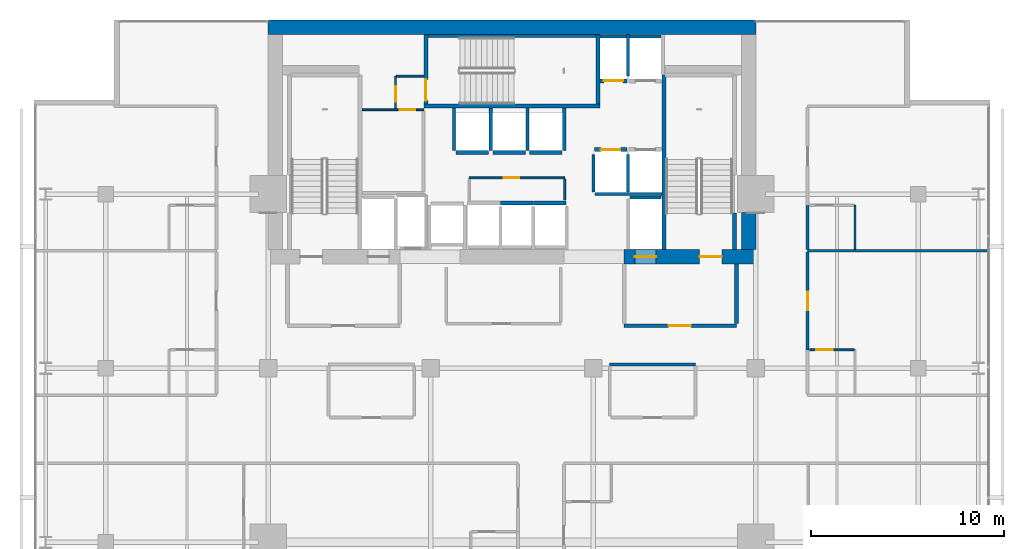
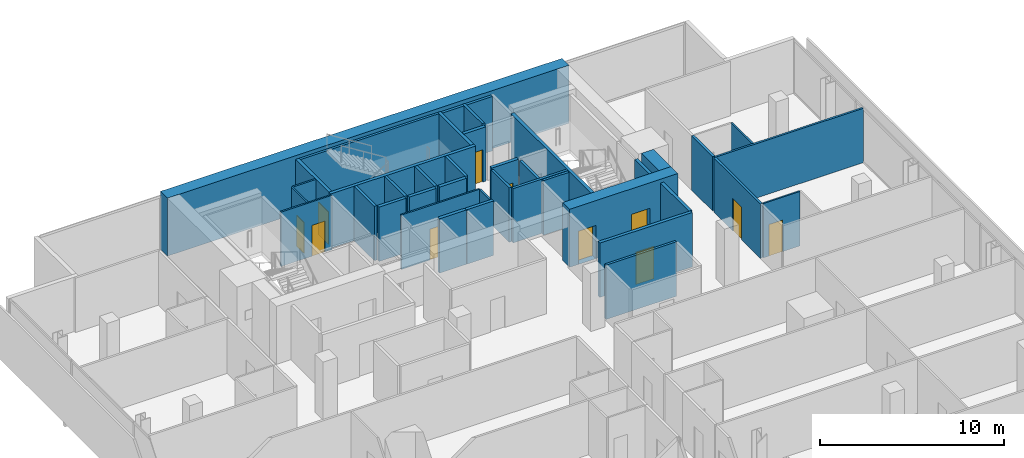
# One storey, part 30 of 33: 39 walls, 11 doors, 11 openings.
"""IFC4 building model written with IfcOpenShell, lengths in metres."""

from ifc_helpers import new_model, si_unit, direction, frame, frame_2d, origin, place, context, subcontext, project, spatial, rectangle, extrude, material, layer, layer_set, type_object, element, fill, save


model = new_model("IFC4")

# Units and contexts
model_context = context("Model", 3, precision=1e-05, world=origin(), true_north=direction((0.0, 1.0)))
body_context = subcontext(model_context, "Body", "Model", "MODEL_VIEW")
ifc_project = project(units=[si_unit("LENGTHUNIT", "METRE"), si_unit("AREAUNIT", "SQUARE_METRE"), si_unit("VOLUMEUNIT", "CUBIC_METRE"), si_unit("PLANEANGLEUNIT", "RADIAN"), si_unit("MASSUNIT", "GRAM", prefix="KILO")], contexts=[model_context])

# Site, building, storey
site_placement = place(None, origin())
site = spatial("IfcSite", under=ifc_project, at=site_placement, CompositionType="ELEMENT")
building_placement = place(site_placement, origin())
building = spatial("IfcBuilding", under=site, at=building_placement, Name="Maruvema Waterfront Hotel and Observation Tower", CompositionType="ELEMENT")
storey_placement = place(building_placement, frame((0.0, 0.0, 150.5)))
storey = spatial("IfcBuildingStorey", under=building, at=storey_placement, Name="L36", CompositionType="ELEMENT", Elevation=150.5)

# Wall
ifc_material_1 = material(Name="Twin-stud acoustic gypsum drywall", Category="gypsum")
ifc_layer_1 = layer(ifc_material_1, 0.14990234375, Name="Acoustic Corridor and Suite Demising Wall 150 mm")
ifc_layer_set_1 = layer_set([ifc_layer_1], Name="Twin-stud acoustic gypsum drywall")
wall_type_1 = type_object("IfcWallType", Name="Acoustic Corridor and Suite Demising Wall 150 mm", PredefinedType="PARTITIONING", material=ifc_layer_set_1)
wall_1_placement = place(storey_placement, frame((42.85009765625, 36.199951171875, 0.0), z_axis=(0.0, 0.0, 1.0), x_axis=(1.0, 0.0, 0.0)))
element("IfcWall", 1, at=wall_1_placement, inside=storey, type_object=wall_type_1, Name="L36 L36-M2 Back Wall 025", PredefinedType="PARTITIONING", context=body_context, shape_type="SweptSolid", body=[
    extrude(rectangle(XDim=4.429931640625, YDim=0.14990234375, at=frame_2d((2.21484375, 0.0))), origin(), (0.0, 0.0, 1.0), 3.610107421875),
])

# Wall, opening, door
wall_2_placement = place(storey_placement, frame((53.080078125, 36.949951171875, 0.0), z_axis=(0.0, 0.0, 1.0), x_axis=(0.0, 1.0, 0.0)))
wall_2 = element("IfcWall", 2, at=wall_2_placement, inside=storey, type_object=wall_type_1, Name="L36 Room L36-NE1 Corridor Wall 107", PredefinedType="PARTITIONING", context=body_context, shape_type="SweptSolid", body=[
    extrude(rectangle(XDim=5.058837890625, YDim=0.14990234375, at=frame_2d((2.529296875, 0.0))), origin(), (0.0, 0.0, 1.0), 3.610107421875),
])
opening_1_placement = place(wall_2_placement, frame((2.054443359375, 0.0, 0.0)))
opening_1 = element("IfcOpeningElement", 3, at=opening_1_placement, cuts=wall_2, Name="Opening DR-095", PredefinedType="OPENING", context=body_context, shape_type="SweptSolid", body=[
    extrude(rectangle(XDim=0.949951171875, YDim=2.14990234375, at=frame_2d((0.47509765625, 1.074951171875))), frame((0.0, 0.0849609375, 0.0), z_axis=(0.0, -1.0, 0.0), x_axis=(1.0, 0.0, 0.0)), (0.0, 0.0, 1.0), 0.169921875),
])
ifc_material_2 = material(Name="Acoustic solid-core hardwood timber leaf", Category="wood")
door_type_1 = type_object("IfcDoorType", Name="Guestroom Entrance Fire Door 950x2150 mm", OperationType="NOTDEFINED", PredefinedType="DOOR", material=ifc_material_2)
door_1_placement = place(opening_1_placement, frame((0.949951171875, 0.0, 0.0), z_axis=(0.0, 0.0, 1.0), x_axis=(-1.0, 0.0, 0.0)))
door_1 = element("IfcDoor", 4, at=door_1_placement, inside=storey, type_object=door_type_1, Name="L36 Room L36-NE1 Entrance Door", OperationType="SINGLE_SWING_RIGHT", OverallHeight=2.14990234375, OverallWidth=0.949951171875, PredefinedType="DOOR", context=body_context, shape_type="SweptSolid", body=[
    extrude(rectangle(XDim=0.949951171875, YDim=2.14990234375, at=frame_2d((0.47509765625, 1.074951171875))), frame((0.0, 0.02490234375, 0.0), z_axis=(0.0, -1.0, 0.0), x_axis=(1.0, 0.0, 0.0)), (0.0, 0.0, 1.0), 0.050048828125),
])
fill(opening_1, door_1)

# Walls
wall_3_placement = place(storey_placement, frame((53.080078125, 42.12890625, 0.0), z_axis=(0.0, 0.0, 1.0), x_axis=(0.0, 1.0, 0.0)))
element("IfcWall", 5, at=wall_3_placement, inside=storey, type_object=wall_type_1, Name="L36 Bath L36-NE2 Wall 116", PredefinedType="PARTITIONING", context=body_context, shape_type="SweptSolid", body=[
    extrude(rectangle(XDim=2.289794921875, YDim=0.14990234375, at=frame_2d((1.14501953125, 0.0))), origin(), (0.0, 0.0, 1.0), 3.610107421875),
])
ifc_material_3 = material(Name="Precast concrete C45/55", Category="concrete")
ifc_layer_2 = layer(ifc_material_3, 0.14990234375, Name="Core Shaft Furring Wall 150 mm")
ifc_layer_set_2 = layer_set([ifc_layer_2], Name="Precast concrete C45/55")
wall_type_2 = type_object("IfcWallType", Name="Core Shaft Furring Wall 150 mm", PredefinedType="SOLIDWALL", material=ifc_layer_set_2)
wall_4_placement = place(storey_placement, frame((33.449951171875, 53.175048828125, 0.0), z_axis=(0.0, 0.0, 1.0), x_axis=(1.0, 0.0, 0.0)))
element("IfcWall", 6, at=wall_4_placement, inside=storey, type_object=wall_type_2, Name="L36 Stairwell ST-02 North Furring Wall", PredefinedType="SOLIDWALL", context=body_context, shape_type="SweptSolid", body=[
    extrude(rectangle(XDim=8.699951171875, YDim=0.14990234375, at=frame_2d((4.35009765625, 0.0))), origin(), (0.0, 0.0, 1.0), 3.610107421875),
])
ifc_material_4 = material(Name="Precast concrete C45/55", Category="concrete")
ifc_layer_3 = layer(ifc_material_4, 0.199951171875, Name="Core Shaft and Stairwell Enclosure Wall 200 mm")
ifc_layer_set_3 = layer_set([ifc_layer_3], Name="Precast concrete C45/55")
wall_type_3 = type_object("IfcWallType", Name="Core Shaft and Stairwell Enclosure Wall 200 mm", PredefinedType="SOLIDWALL", material=ifc_layer_set_3)
wall_5_placement = place(storey_placement, frame((33.25, 49.550048828125, 0.0), z_axis=(0.0, 0.0, 1.0), x_axis=(1.0, 0.0, 0.0)))
element("IfcWall", 7, at=wall_5_placement, inside=storey, type_object=wall_type_3, Name="L36 Stairwell ST-02 Shaft Wall", PredefinedType="SOLIDWALL", context=body_context, shape_type="SweptSolid", body=[
    extrude(rectangle(XDim=9.10009765625, YDim=0.199951171875, at=frame_2d((4.550048828125, 0.0))), origin(), (0.0, 0.0, 1.0), 3.610107421875),
])
wall_6_placement = place(storey_placement, frame((42.25, 49.64990234375, 0.0), z_axis=(0.0, 0.0, 1.0), x_axis=(0.0, 1.0, 0.0)))
element("IfcWall", 8, at=wall_6_placement, inside=storey, type_object=wall_type_3, Name="L36 Stairwell ST-02 Shaft Wall", PredefinedType="SOLIDWALL", context=body_context, shape_type="SweptSolid", body=[
    extrude(rectangle(XDim=3.60009765625, YDim=0.199951171875, at=frame_2d((1.800048828125, 0.0))), origin(), (0.0, 0.0, 1.0), 3.610107421875),
])

# Wall, opening, door
wall_7_placement = place(storey_placement, frame((33.35009765625, 49.64990234375, 0.0), z_axis=(0.0, 0.0, 1.0), x_axis=(0.0, 1.0, 0.0)))
wall_7 = element("IfcWall", 9, at=wall_7_placement, inside=storey, type_object=wall_type_3, Name="L36 Stairwell ST-02 Shaft Wall", PredefinedType="SOLIDWALL", context=body_context, shape_type="SweptSolid", body=[
    extrude(rectangle(XDim=3.60009765625, YDim=0.199951171875, at=frame_2d((1.800048828125, 0.0))), origin(), (0.0, 0.0, 1.0), 3.610107421875),
])
opening_2_placement = place(wall_7_placement, frame((0.179931640625, 0.0, 0.0)))
opening_2 = element("IfcOpeningElement", 10, at=opening_2_placement, cuts=wall_7, Name="Opening SD-02", PredefinedType="OPENING", context=body_context, shape_type="SweptSolid", body=[
    extrude(rectangle(XDim=1.10009765625, YDim=2.14990234375, at=frame_2d((0.550048828125, 1.074951171875))), frame((0.0, 0.10986328125, 0.0), z_axis=(0.0, -1.0, 0.0), x_axis=(1.0, 0.0, 0.0)), (0.0, 0.0, 1.0), 0.219970703125),
])
ifc_material_5 = material(Name="Fire-rated galvanised steel leaf", Category="steel")
door_type_2 = type_object("IfcDoorType", Name="Central Exit Stair Fire Door 1100x2150 mm", OperationType="NOTDEFINED", PredefinedType="DOOR", material=ifc_material_5)
door_2_placement = place(opening_2_placement, frame((1.10009765625, 0.0, 0.0), z_axis=(0.0, 0.0, 1.0), x_axis=(-1.0, 0.0, 0.0)))
door_2 = element("IfcDoor", 11, at=door_2_placement, inside=storey, type_object=door_type_2, Name="L36 Exit Stair ST-02 Fire Door", OperationType="SINGLE_SWING_LEFT", OverallHeight=2.14990234375, OverallWidth=1.10009765625, PredefinedType="DOOR", context=body_context, shape_type="SweptSolid", body=[
    extrude(rectangle(XDim=1.10009765625, YDim=2.14990234375, at=frame_2d((0.550048828125, 1.074951171875))), frame((0.0, 0.02490234375, 0.0), z_axis=(0.0, -1.0, 0.0), x_axis=(1.0, 0.0, 0.0)), (0.0, 0.0, 1.0), 0.050048828125),
])
fill(opening_2, door_2)

# Walls
wall_8_placement = place(storey_placement, frame((45.64990234375, 42.14990234375, 0.0), z_axis=(0.0, 0.0, 1.0), x_axis=(0.0, 1.0, 0.0)))
element("IfcWall", 12, at=wall_8_placement, inside=storey, type_object=wall_type_3, Name="L36 Stairwell ST-03 West Shaft Wall", PredefinedType="SOLIDWALL", context=body_context, shape_type="SweptSolid", body=[
    extrude(rectangle(XDim=9.0, YDim=0.199951171875, at=frame_2d((4.5, 0.0))), origin(), (0.0, 0.0, 1.0), 3.610107421875),
])
wall_9_placement = place(storey_placement, frame((49.300048828125, 42.14990234375, 0.0), z_axis=(0.0, 0.0, 1.0), x_axis=(0.0, 1.0, 0.0)))
element("IfcWall", 13, at=wall_9_placement, inside=storey, type_object=wall_type_3, Name="L36 Stairwell ST-03 Shaft Lining Wall", PredefinedType="SOLIDWALL", context=body_context, shape_type="SweptSolid", body=[
    extrude(rectangle(XDim=1.8701171875, YDim=0.199951171875, at=frame_2d((0.93505859375, 0.0))), origin(), (0.0, 0.0, 1.0), 3.610107421875),
])

# Wall, opening, door
wall_10_placement = place(storey_placement, frame((42.06005859375, 47.300048828125, 0.0), z_axis=(0.0, 0.0, 1.0), x_axis=(1.0, 0.0, 0.0)))
wall_10 = element("IfcWall", 14, at=wall_10_placement, inside=storey, type_object=wall_type_3, Name="L36 Lift LF-05 Hoistway Front Wall", PredefinedType="SOLIDWALL", context=body_context, shape_type="SweptSolid", body=[
    extrude(rectangle(XDim=1.679931640625, YDim=0.199951171875, at=frame_2d((0.83984375, 0.0))), origin(), (0.0, 0.0, 1.0), 3.610107421875),
])
opening_3_placement = place(wall_10_placement, frame((0.340087890625, 0.0, 0.0)))
opening_3 = element("IfcOpeningElement", 15, at=opening_3_placement, cuts=wall_10, Name="Opening LD-01", PredefinedType="OPENING", context=body_context, shape_type="SweptSolid", body=[
    extrude(rectangle(XDim=1.0, YDim=2.14990234375, at=frame_2d((0.5, 1.074951171875))), frame((0.0, 0.10986328125, 0.0), z_axis=(0.0, -1.0, 0.0), x_axis=(1.0, 0.0, 0.0)), (0.0, 0.0, 1.0), 0.219970703125),
])
ifc_material_6 = material(Name="Brushed stainless steel Grade 316", Category="steel")
door_type_3 = type_object("IfcDoorType", Name="Passenger Lift Sliding Landing Door 1000x2150 mm", OperationType="SLIDING_TO_LEFT", PredefinedType="DOOR", material=ifc_material_6)
door_3_placement = place(opening_3_placement, origin())
door_3 = element("IfcDoor", 16, at=door_3_placement, inside=storey, type_object=door_type_3, Name="L36 Lift LF-05 Sliding Landing Door", OperationType="SLIDING_TO_LEFT", OverallHeight=2.14990234375, OverallWidth=1.0, PredefinedType="DOOR", context=body_context, shape_type="SweptSolid", body=[
    extrude(rectangle(XDim=1.0, YDim=2.14990234375, at=frame_2d((0.5, 1.074951171875))), frame((0.0, 0.02490234375, 0.0), z_axis=(0.0, -1.0, 0.0), x_axis=(1.0, 0.0, 0.0)), (0.0, 0.0, 1.0), 0.050048828125),
])
fill(opening_3, door_3)

wall_11_placement = place(storey_placement, frame((42.360107421875, 50.85009765625, 0.0), z_axis=(0.0, 0.0, 1.0), x_axis=(1.0, 0.0, 0.0)))
wall_11 = element("IfcWall", 17, at=wall_11_placement, inside=storey, type_object=wall_type_3, Name="L36 Lift LF-07 Hoistway Front Wall", PredefinedType="SOLIDWALL", context=body_context, shape_type="SweptSolid", body=[
    extrude(rectangle(XDim=1.3798828125, YDim=0.199951171875, at=frame_2d((0.68994140625, 0.0))), origin(), (0.0, 0.0, 1.0), 3.610107421875),
])
opening_4_placement = place(wall_11_placement, frame((0.18994140625, 0.0, 0.0)))
opening_4 = element("IfcOpeningElement", 18, at=opening_4_placement, cuts=wall_11, Name="Opening LD-01", PredefinedType="OPENING", context=body_context, shape_type="SweptSolid", body=[
    extrude(rectangle(XDim=1.0, YDim=2.14990234375, at=frame_2d((0.5, 1.074951171875))), frame((0.0, 0.10986328125, 0.0), z_axis=(0.0, -1.0, 0.0), x_axis=(1.0, 0.0, 0.0)), (0.0, 0.0, 1.0), 0.219970703125),
])
door_4_placement = place(opening_4_placement, frame((1.0, 0.0, 0.0), z_axis=(0.0, 0.0, 1.0), x_axis=(-1.0, 0.0, 0.0)))
door_4 = element("IfcDoor", 19, at=door_4_placement, inside=storey, type_object=door_type_3, Name="L36 Lift LF-07 Sliding Landing Door", OperationType="SLIDING_TO_LEFT", OverallHeight=2.14990234375, OverallWidth=1.0, PredefinedType="DOOR", context=body_context, shape_type="SweptSolid", body=[
    extrude(rectangle(XDim=1.0, YDim=2.14990234375, at=frame_2d((0.5, 1.074951171875))), frame((0.0, 0.02490234375, 0.0), z_axis=(0.0, -1.0, 0.0), x_axis=(1.0, 0.0, 0.0)), (0.0, 0.0, 1.0), 0.050048828125),
])
fill(opening_4, door_4)

# Walls
wall_12_placement = place(storey_placement, frame((37.2099609375, 44.550048828125, 0.0), z_axis=(0.0, 0.0, 1.0), x_axis=(1.0, 0.0, 0.0)))
element("IfcWall", 20, at=wall_12_placement, inside=storey, type_object=wall_type_3, Name="L36 Lift LF-10 Hoistway Front Wall", PredefinedType="SOLIDWALL", context=body_context, shape_type="SweptSolid", body=[
    extrude(rectangle(XDim=1.679931640625, YDim=0.199951171875, at=frame_2d((0.83984375, 0.0))), origin(), (0.0, 0.0, 1.0), 3.610107421875),
])
for number, where, z_axis, x_axis, name in (
    (21, (38.909912109375, 44.550048828125, 0.0), (0.0, 0.0, 1.0), (1.0, 0.0, 0.0), "L36 Lift LF-11 Hoistway Front Wall"),
    (22, (34.909912109375, 47.14990234375, 0.0), (0.0, 0.0, 1.0), (1.0, 0.0, 0.0), "L36 Lift LF-12 Hoistway Front Wall"),
):
    element("IfcWall", number, at=place(storey_placement, frame(where, z_axis=z_axis, x_axis=x_axis)), inside=storey, type_object=wall_type_3, Name=name, PredefinedType="SOLIDWALL", context=body_context, shape_type="SweptSolid", body=[
        extrude(rectangle(XDim=1.68017578125, YDim=0.199951171875, at=frame_2d((0.840087890625, 0.0))), origin(), (0.0, 0.0, 1.0), 3.610107421875),
    ])
for number, where, z_axis, x_axis, name in (
    (23, (36.81005859375, 47.14990234375, 0.0), (0.0, 0.0, 1.0), (1.0, 0.0, 0.0), "L36 Lift LF-13 Hoistway Front Wall"),
    (24, (38.7099609375, 47.14990234375, 0.0), (0.0, 0.0, 1.0), (1.0, 0.0, 0.0), "L36 Lift LF-14 Hoistway Front Wall"),
):
    element("IfcWall", number, at=place(storey_placement, frame(where, z_axis=z_axis, x_axis=x_axis)), inside=storey, type_object=wall_type_3, Name=name, PredefinedType="SOLIDWALL", context=body_context, shape_type="SweptSolid", body=[
        extrude(rectangle(XDim=1.679931640625, YDim=0.199951171875, at=frame_2d((0.83984375, 0.0))), origin(), (0.0, 0.0, 1.0), 3.610107421875),
    ])
ifc_material_7 = material(Name="Concrete C70/85", Category="concrete")
ifc_layer_4 = layer(ifc_material_7, 0.75, Name="Core Shear Wall 750 mm")
ifc_layer_set_4 = layer_set([ifc_layer_4], Name="Concrete C70/85")
wall_type_4 = type_object("IfcWallType", Name="Core Shear Wall 750 mm", PredefinedType="SHEAR", material=ifc_layer_set_4)
wall_13_placement = place(storey_placement, frame((25.199951171875, 53.625, 0.0), z_axis=(0.0, 0.0, 1.0), x_axis=(1.0, 0.0, 0.0)))
element("IfcWall", 25, at=wall_13_placement, inside=storey, type_object=wall_type_4, Name="L36 North Core Shear Wall", PredefinedType="SHEAR", context=body_context, shape_type="SweptSolid", body=[
    extrude(rectangle(XDim=25.199951171875, YDim=0.75, at=frame_2d((12.60009765625, 0.0))), origin(), (0.0, 0.0, 1.0), 3.85009765625),
])

# Wall, openings, doors
wall_14_placement = place(storey_placement, frame((43.60009765625, 41.77490234375, 0.0), z_axis=(0.0, 0.0, 1.0), x_axis=(1.0, 0.0, 0.0)))
wall_14 = element("IfcWall", 26, at=wall_14_placement, inside=storey, type_object=wall_type_4, Name="L36 South-East Core Shear Wall", PredefinedType="SHEAR", context=body_context, shape_type="SweptSolid", body=[
    extrude(rectangle(XDim=6.7998046875, YDim=0.75, at=frame_2d((3.39990234375, 0.0))), origin(), (0.0, 0.0, 1.0), 3.85009765625),
])
opening_5_placement = place(wall_14_placement, frame((3.89990234375, 0.0, 0.0)))
opening_5 = element("IfcOpeningElement", 27, at=opening_5_placement, cuts=wall_14, Name="Opening SD-01", PredefinedType="OPENING", context=body_context, shape_type="SweptSolid", body=[
    extrude(rectangle(XDim=1.14990234375, YDim=2.14990234375, at=frame_2d((0.574951171875, 1.074951171875))), frame((0.0, 0.385009765625, 0.0), z_axis=(0.0, -1.0, 0.0), x_axis=(1.0, 0.0, 0.0)), (0.0, 0.0, 1.0), 0.77001953125),
])
opening_6_placement = place(wall_14_placement, frame((0.550048828125, 0.0, 0.0)))
opening_6 = element("IfcOpeningElement", 28, at=opening_6_placement, cuts=wall_14, Name="Opening LD-03", PredefinedType="OPENING", context=body_context, shape_type="SweptSolid", body=[
    extrude(rectangle(XDim=1.10009765625, YDim=2.199951171875, at=frame_2d((0.550048828125, 1.10009765625))), frame((0.0, 0.385009765625, 0.0), z_axis=(0.0, -1.0, 0.0), x_axis=(1.0, 0.0, 0.0)), (0.0, 0.0, 1.0), 0.77001953125),
])
ifc_material_8 = material(Name="Fire-rated galvanised steel leaf", Category="steel")
door_type_4 = type_object("IfcDoorType", Name="Exit Stair Fire Door 1150x2150 mm", OperationType="NOTDEFINED", PredefinedType="DOOR", material=ifc_material_8)
door_5_placement = place(opening_5_placement, origin())
door_5 = element("IfcDoor", 29, at=door_5_placement, inside=storey, type_object=door_type_4, Name="L36 Exit Stair ST-03 Fire Door", OperationType="SINGLE_SWING_RIGHT", OverallHeight=2.14990234375, OverallWidth=1.14990234375, PredefinedType="DOOR", context=body_context, shape_type="SweptSolid", body=[
    extrude(rectangle(XDim=1.14990234375, YDim=2.14990234375, at=frame_2d((0.574951171875, 1.074951171875))), frame((0.0, 0.02490234375, 0.0), z_axis=(0.0, -1.0, 0.0), x_axis=(1.0, 0.0, 0.0)), (0.0, 0.0, 1.0), 0.050048828125),
])
fill(opening_5, door_5)
ifc_material_9 = material(Name="Brushed stainless steel Grade 316", Category="steel")
door_type_5 = type_object("IfcDoorType", Name="Firefighting Lift Sliding Landing Door 1100x2200 mm", OperationType="SLIDING_TO_LEFT", PredefinedType="DOOR", material=ifc_material_9)
door_6_placement = place(opening_6_placement, frame((1.10009765625, 0.0, 0.0), z_axis=(0.0, 0.0, 1.0), x_axis=(-1.0, 0.0, 0.0)))
door_6 = element("IfcDoor", 30, at=door_6_placement, inside=storey, type_object=door_type_5, Name="L36 Firefighting Lift FL-02 Landing Door", OperationType="SLIDING_TO_LEFT", OverallHeight=2.199951171875, OverallWidth=1.10009765625, PredefinedType="DOOR", context=body_context, shape_type="SweptSolid", body=[
    extrude(rectangle(XDim=1.10009765625, YDim=2.199951171875, at=frame_2d((0.550048828125, 1.10009765625))), frame((0.0, 0.02490234375, 0.0), z_axis=(0.0, -1.0, 0.0), x_axis=(1.0, 0.0, 0.0)), (0.0, 0.0, 1.0), 0.050048828125),
])
fill(opening_6, door_6)

# Wall
wall_15_placement = place(storey_placement, frame((50.02490234375, 42.14990234375, 0.0), z_axis=(0.0, 0.0, 1.0), x_axis=(0.0, 1.0, 0.0)))
element("IfcWall", 31, at=wall_15_placement, inside=storey, type_object=wall_type_4, Name="L36 East-South Core Shear Wall", PredefinedType="SHEAR", context=body_context, shape_type="SweptSolid", body=[
    extrude(rectangle(XDim=1.900146484375, YDim=0.75, at=frame_2d((0.9501953125, 0.0))), origin(), (0.0, 0.0, 1.0), 3.85009765625),
])

# Wall, opening, door
ifc_material_10 = material(Name="Moisture-resistant cement-board drywall", Category="gypsum")
ifc_layer_5 = layer(ifc_material_10, 0.10009765625, Name="En-Suite Moisture-Resistant Partition 100 mm")
ifc_layer_set_5 = layer_set([ifc_layer_5], Name="Moisture-resistant cement-board drywall")
wall_type_5 = type_object("IfcWallType", Name="En-Suite Moisture-Resistant Partition 100 mm", PredefinedType="PARTITIONING", material=ifc_layer_set_5)
wall_16_placement = place(storey_placement, frame((35.580078125, 45.840087890625, 0.0), z_axis=(0.0, 0.0, 1.0), x_axis=(1.0, 0.0, 0.0)))
wall_16 = element("IfcWall", 32, at=wall_16_placement, inside=storey, type_object=wall_type_5, Name="L36 Core Closet K0 North 010", PredefinedType="PARTITIONING", context=body_context, shape_type="SweptSolid", body=[
    extrude(rectangle(XDim=4.93994140625, YDim=0.10009765625, at=frame_2d((2.469970703125, 0.0))), origin(), (0.0, 0.0, 1.0), 3.610107421875),
])
opening_7_placement = place(wall_16_placement, frame((1.800048828125, 0.0, 0.0)))
opening_7 = element("IfcOpeningElement", 33, at=opening_7_placement, cuts=wall_16, Name="Opening DR-080", PredefinedType="OPENING", context=body_context, shape_type="SweptSolid", body=[
    extrude(rectangle(XDim=0.800048828125, YDim=2.050048828125, at=frame_2d((0.39990234375, 1.02490234375))), frame((0.0, 0.06005859375, 0.0), z_axis=(0.0, -1.0, 0.0), x_axis=(1.0, 0.0, 0.0)), (0.0, 0.0, 1.0), 0.1201171875),
])
ifc_material_11 = material(Name="Powder-coated steel access leaf", Category="steel")
door_type_6 = type_object("IfcDoorType", Name="Riser and Service Cupboard Door 800x2050 mm", OperationType="NOTDEFINED", PredefinedType="DOOR", material=ifc_material_11)
door_7_placement = place(opening_7_placement, origin())
door_7 = element("IfcDoor", 34, at=door_7_placement, inside=storey, type_object=door_type_6, Name="L36 Core Electrical Closet Door", OperationType="SINGLE_SWING_LEFT", OverallHeight=2.050048828125, OverallWidth=0.800048828125, PredefinedType="DOOR", context=body_context, shape_type="SweptSolid", body=[
    extrude(rectangle(XDim=0.800048828125, YDim=2.050048828125, at=frame_2d((0.39990234375, 1.02490234375))), frame((0.0, 0.02490234375, 0.0), z_axis=(0.0, -1.0, 0.0), x_axis=(1.0, 0.0, 0.0)), (0.0, 0.0, 1.0), 0.050048828125),
])
fill(opening_7, door_7)

# Wall
wall_17_placement = place(storey_placement, frame((40.52001953125, 44.699951171875, 0.0), z_axis=(0.0, 0.0, 1.0), x_axis=(0.0, 1.0, 0.0)))
element("IfcWall", 35, at=wall_17_placement, inside=storey, type_object=wall_type_5, Name="L36 Core Closet K0 East 012", PredefinedType="PARTITIONING", context=body_context, shape_type="SweptSolid", body=[
    extrude(rectangle(XDim=1.080078125, YDim=0.10009765625, at=frame_2d((0.5400390625, 0.0))), origin(), (0.0, 0.0, 1.0), 3.610107421875),
])

# Wall, opening, door
wall_18_placement = place(storey_placement, frame((30.06005859375, 49.360107421875, 0.0), z_axis=(0.0, 0.0, 1.0), x_axis=(1.0, 0.0, 0.0)))
wall_18 = element("IfcWall", 36, at=wall_18_placement, inside=storey, type_object=wall_type_5, Name="L36 Freed B1 Mid Wall 015", PredefinedType="PARTITIONING", context=body_context, shape_type="SweptSolid", body=[
    extrude(rectangle(XDim=3.179931640625, YDim=0.10009765625, at=frame_2d((1.58984375, 0.0))), origin(), (0.0, 0.0, 1.0), 3.610107421875),
])
opening_8_placement = place(wall_18_placement, frame((1.949951171875, 0.0, 0.0)))
opening_8 = element("IfcOpeningElement", 37, at=opening_8_placement, cuts=wall_18, Name="Opening DR-080", PredefinedType="OPENING", context=body_context, shape_type="SweptSolid", body=[
    extrude(rectangle(XDim=0.800048828125, YDim=2.050048828125, at=frame_2d((0.39990234375, 1.02490234375))), frame((0.0, 0.06005859375, 0.0), z_axis=(0.0, -1.0, 0.0), x_axis=(1.0, 0.0, 0.0)), (0.0, 0.0, 1.0), 0.1201171875),
])
door_8_placement = place(opening_8_placement, origin())
door_8 = element("IfcDoor", 38, at=door_8_placement, inside=storey, type_object=door_type_6, Name="L36 Housekeeping and Linen Room Door", OperationType="SINGLE_SWING_RIGHT", OverallHeight=2.050048828125, OverallWidth=0.800048828125, PredefinedType="DOOR", context=body_context, shape_type="SweptSolid", body=[
    extrude(rectangle(XDim=0.800048828125, YDim=2.050048828125, at=frame_2d((0.39990234375, 1.02490234375))), frame((0.0, 0.02490234375, 0.0), z_axis=(0.0, -1.0, 0.0), x_axis=(1.0, 0.0, 0.0)), (0.0, 0.0, 1.0), 0.050048828125),
])
fill(opening_8, door_8)

wall_19_placement = place(storey_placement, frame((31.780029296875, 49.419921875, 0.0), z_axis=(0.0, 0.0, 1.0), x_axis=(0.0, 1.0, 0.0)))
wall_19 = element("IfcWall", 39, at=wall_19_placement, inside=storey, type_object=wall_type_5, Name="L36 Freed B1 NW East Wall 016", PredefinedType="PARTITIONING", context=body_context, shape_type="SweptSolid", body=[
    extrude(rectangle(XDim=1.68017578125, YDim=0.10009765625, at=frame_2d((0.840087890625, 0.0))), origin(), (0.0, 0.0, 1.0), 3.610107421875),
])
opening_9_placement = place(wall_19_placement, frame((0.35009765625, 0.0, 0.0)))
opening_9 = element("IfcOpeningElement", 40, at=opening_9_placement, cuts=wall_19, Name="Opening DR-080", PredefinedType="OPENING", context=body_context, shape_type="SweptSolid", body=[
    extrude(rectangle(XDim=0.800048828125, YDim=2.050048828125, at=frame_2d((0.39990234375, 1.02490234375))), frame((0.0, 0.06005859375, 0.0), z_axis=(0.0, -1.0, 0.0), x_axis=(1.0, 0.0, 0.0)), (0.0, 0.0, 1.0), 0.1201171875),
])
door_9_placement = place(opening_9_placement, origin())
door_9 = element("IfcDoor", 41, at=door_9_placement, inside=storey, type_object=door_type_6, Name="L36 Guest Floor Pantry Door", OperationType="SINGLE_SWING_LEFT", OverallHeight=2.050048828125, OverallWidth=0.800048828125, PredefinedType="DOOR", context=body_context, shape_type="SweptSolid", body=[
    extrude(rectangle(XDim=0.800048828125, YDim=2.050048828125, at=frame_2d((0.39990234375, 1.02490234375))), frame((0.0, 0.02490234375, 0.0), z_axis=(0.0, -1.0, 0.0), x_axis=(1.0, 0.0, 0.0)), (0.0, 0.0, 1.0), 0.050048828125),
])
fill(opening_9, door_9)

# Wall
wall_20_placement = place(storey_placement, frame((31.820068359375, 51.10009765625, 0.0), z_axis=(0.0, 0.0, 1.0), x_axis=(1.0, 0.0, 0.0)))
element("IfcWall", 42, at=wall_20_placement, inside=storey, type_object=wall_type_5, Name="L36 Freed B1 Vestibule North Wall 017", PredefinedType="PARTITIONING", context=body_context, shape_type="SweptSolid", body=[
    extrude(rectangle(XDim=1.419921875, YDim=0.10009765625, at=frame_2d((0.7099609375, 0.0))), origin(), (0.0, 0.0, 1.0), 3.610107421875),
])

# Wall, opening, door
wall_21_placement = place(storey_placement, frame((53.179931640625, 36.949951171875, 0.0), z_axis=(0.0, 0.0, 1.0), x_axis=(1.0, 0.0, 0.0)))
wall_21 = element("IfcWall", 43, at=wall_21_placement, inside=storey, type_object=wall_type_5, Name="L36 En-Suite L36-NE1 N 109", PredefinedType="PARTITIONING", context=body_context, shape_type="SweptSolid", body=[
    extrude(rectangle(XDim=2.300048828125, YDim=0.10009765625, at=frame_2d((1.14990234375, 0.0))), origin(), (0.0, 0.0, 1.0), 3.610107421875),
])
opening_10_placement = place(wall_21_placement, frame((0.35009765625, 0.0, 0.0)))
opening_10 = element("IfcOpeningElement", 44, at=opening_10_placement, cuts=wall_21, Name="Opening DR-085", PredefinedType="OPENING", context=body_context, shape_type="SweptSolid", body=[
    extrude(rectangle(XDim=0.85009765625, YDim=2.10009765625, at=frame_2d((0.425048828125, 1.050048828125))), frame((0.0, 0.06005859375, 0.0), z_axis=(0.0, -1.0, 0.0), x_axis=(1.0, 0.0, 0.0)), (0.0, 0.0, 1.0), 0.1201171875),
])
ifc_material_12 = material(Name="Moisture-resistant solid timber leaf", Category="wood")
door_type_7 = type_object("IfcDoorType", Name="En-Suite Bathroom Door 850x2100 mm", OperationType="NOTDEFINED", PredefinedType="DOOR", material=ifc_material_12)
door_10_placement = place(opening_10_placement, origin())
door_10 = element("IfcDoor", 45, at=door_10_placement, inside=storey, type_object=door_type_7, Name="L36 En-Suite L36-NE1 Door", OperationType="SINGLE_SWING_LEFT", OverallHeight=2.10009765625, OverallWidth=0.85009765625, PredefinedType="DOOR", context=body_context, shape_type="SweptSolid", body=[
    extrude(rectangle(XDim=0.85009765625, YDim=2.10009765625, at=frame_2d((0.425048828125, 1.050048828125))), frame((0.0, 0.02490234375, 0.0), z_axis=(0.0, -1.0, 0.0), x_axis=(1.0, 0.0, 0.0)), (0.0, 0.0, 1.0), 0.050048828125),
])
fill(opening_10, door_10)

# Wall
wall_22_placement = place(storey_placement, frame((55.530029296875, 42.12890625, 0.0), z_axis=(0.0, 0.0, 1.0), x_axis=(0.0, 1.0, 0.0)))
element("IfcWall", 46, at=wall_22_placement, inside=storey, type_object=wall_type_5, Name="L36 En-Suite L36-NE2 E 118", PredefinedType="PARTITIONING", context=body_context, shape_type="SweptSolid", body=[
    extrude(rectangle(XDim=2.289794921875, YDim=0.10009765625, at=frame_2d((1.14501953125, 0.0))), origin(), (0.0, 0.0, 1.0), 3.610107421875),
])

# Wall, opening, door
ifc_material_13 = material(Name="Autoclaved cellular concrete blockwork", Category="masonry")
ifc_layer_6 = layer(ifc_material_13, 0.199951171875, Name="Fire Compartment Masonry Wall 200 mm")
ifc_layer_set_6 = layer_set([ifc_layer_6], Name="Autoclaved cellular concrete blockwork")
wall_type_6 = type_object("IfcWallType", Name="Fire Compartment Masonry Wall 200 mm", PredefinedType="PARTITIONING", material=ifc_layer_set_6)
wall_23_placement = place(storey_placement, frame((43.60009765625, 38.199951171875, 0.0), z_axis=(0.0, 0.0, 1.0), x_axis=(1.0, 0.0, 0.0)))
wall_23 = element("IfcWall", 47, at=wall_23_placement, inside=storey, type_object=wall_type_6, Name="L36 FFL East South Wall 004", PredefinedType="PARTITIONING", context=body_context, shape_type="SweptSolid", body=[
    extrude(rectangle(XDim=5.7998046875, YDim=0.199951171875, at=frame_2d((2.89990234375, 0.0))), origin(), (0.0, 0.0, 1.0), 3.610107421875),
])
opening_11_placement = place(wall_23_placement, frame((2.300048828125, 0.0, 0.0)))
opening_11 = element("IfcOpeningElement", 48, at=opening_11_placement, cuts=wall_23, Name="Opening FD-115", PredefinedType="OPENING", context=body_context, shape_type="SweptSolid", body=[
    extrude(rectangle(XDim=1.14990234375, YDim=2.14990234375, at=frame_2d((0.574951171875, 1.074951171875))), frame((0.0, 0.10986328125, 0.0), z_axis=(0.0, -1.0, 0.0), x_axis=(1.0, 0.0, 0.0)), (0.0, 0.0, 1.0), 0.219970703125),
])
ifc_material_14 = material(Name="Fire-rated galvanised steel and vision glass", Category="steel")
door_type_8 = type_object("IfcDoorType", Name="Firefighting Lobby Fire Door 1150x2150 mm", OperationType="NOTDEFINED", PredefinedType="DOOR", material=ifc_material_14)
door_11_placement = place(opening_11_placement, frame((1.14990234375, 0.0, 0.0), z_axis=(0.0, 0.0, 1.0), x_axis=(-1.0, 0.0, 0.0)))
door_11 = element("IfcDoor", 49, at=door_11_placement, inside=storey, type_object=door_type_8, Name="L36 Firefighting Lobby East Door", OperationType="SINGLE_SWING_LEFT", OverallHeight=2.14990234375, OverallWidth=1.14990234375, PredefinedType="DOOR", context=body_context, shape_type="SweptSolid", body=[
    extrude(rectangle(XDim=1.14990234375, YDim=2.14990234375, at=frame_2d((0.574951171875, 1.074951171875))), frame((0.0, 0.02490234375, 0.0), z_axis=(0.0, -1.0, 0.0), x_axis=(1.0, 0.0, 0.0)), (0.0, 0.0, 1.0), 0.050048828125),
])
fill(opening_11, door_11)

# Walls
wall_24_placement = place(storey_placement, frame((49.39990234375, 38.31005859375, 0.0), z_axis=(0.0, 0.0, 1.0), x_axis=(0.0, 1.0, 0.0)))
element("IfcWall", 50, at=wall_24_placement, inside=storey, type_object=wall_type_6, Name="L36 FFL East East Wall 006", PredefinedType="PARTITIONING", context=body_context, shape_type="SweptSolid", body=[
    extrude(rectangle(XDim=3.06982421875, YDim=0.199951171875, at=frame_2d((1.534912109375, 0.0))), origin(), (0.0, 0.0, 1.0), 3.610107421875),
])
ifc_material_15 = material(Name="Acoustic gypsum plasterboard drywall", Category="gypsum")
ifc_layer_7 = layer(ifc_material_15, 0.125, Name="Guestroom Acoustic Demising Wall 125 mm")
ifc_layer_set_7 = layer_set([ifc_layer_7], Name="Acoustic gypsum plasterboard drywall")
wall_type_7 = type_object("IfcWallType", Name="Guestroom Acoustic Demising Wall 125 mm", PredefinedType="PARTITIONING", material=ifc_layer_set_7)
wall_25_placement = place(storey_placement, frame((53.080078125, 42.06884765625, 0.0), z_axis=(0.0, 0.0, 1.0), x_axis=(1.0, 0.0, 0.0)))
element("IfcWall", 51, at=wall_25_placement, inside=storey, type_object=wall_type_7, Name="L36 Z2 NE Demising 2 111", PredefinedType="PARTITIONING", context=body_context, shape_type="SweptSolid", body=[
    extrude(rectangle(XDim=9.31982421875, YDim=0.125, at=frame_2d((4.659912109375, 0.0))), origin(), (0.0, 0.0, 1.0), 3.610107421875),
])
ifc_material_16 = material(Name="Precast concrete C45/55", Category="concrete")
ifc_layer_8 = layer(ifc_material_16, 0.159912109375, Name="Lift Hoistway Divider Wall 160 mm")
ifc_layer_set_8 = layer_set([ifc_layer_8], Name="Precast concrete C45/55")
wall_type_8 = type_object("IfcWallType", Name="Lift Hoistway Divider Wall 160 mm", PredefinedType="SOLIDWALL", material=ifc_layer_set_8)
wall_26_placement = place(storey_placement, frame((43.89990234375, 44.830078125, 0.0), z_axis=(0.0, 0.0, 1.0), x_axis=(1.0, 0.0, 0.0)))
element("IfcWall", 52, at=wall_26_placement, inside=storey, type_object=wall_type_8, Name="L36 Lift FL-02 Rear Hoistway Wall", PredefinedType="SOLIDWALL", context=body_context, shape_type="SweptSolid", body=[
    extrude(rectangle(XDim=1.60009765625, YDim=0.159912109375, at=frame_2d((0.800048828125, 0.0))), origin(), (0.0, 0.0, 1.0), 3.610107421875),
])
for number, where, z_axis, x_axis, name in (
    (53, (42.02001953125, 45.10009765625, 0.0), (0.0, 0.0, 1.0), (0.0, 1.0, 0.0), "L36 Hoistway Divider Wall"),
    (54, (43.800048828125, 45.10009765625, 0.0), (0.0, 0.0, 1.0), (0.0, 1.0, 0.0), "L36 Hoistway Divider Wall"),
):
    element("IfcWall", number, at=place(storey_placement, frame(where, z_axis=z_axis, x_axis=x_axis)), inside=storey, type_object=wall_type_8, Name=name, PredefinedType="SOLIDWALL", context=body_context, shape_type="SweptSolid", body=[
        extrude(rectangle(XDim=1.949951171875, YDim=0.159912109375, at=frame_2d((0.97509765625, 0.0))), origin(), (0.0, 0.0, 1.0), 3.610107421875),
    ])
wall_27_placement = place(storey_placement, frame((42.10009765625, 45.010009765625, 0.0), z_axis=(0.0, 0.0, 1.0), x_axis=(1.0, 0.0, 0.0)))
element("IfcWall", 55, at=wall_27_placement, inside=storey, type_object=wall_type_8, Name="L36 Hoistway Divider Wall", PredefinedType="SOLIDWALL", context=body_context, shape_type="SweptSolid", body=[
    extrude(rectangle(XDim=3.449951171875, YDim=0.159912109375, at=frame_2d((1.72509765625, 0.0))), origin(), (0.0, 0.0, 1.0), 3.610107421875),
])
wall_28_placement = place(storey_placement, frame((43.800048828125, 51.10009765625, 0.0), z_axis=(0.0, 0.0, 1.0), x_axis=(0.0, 1.0, 0.0)))
element("IfcWall", 56, at=wall_28_placement, inside=storey, type_object=wall_type_8, Name="L36 Hoistway Divider Wall", PredefinedType="SOLIDWALL", context=body_context, shape_type="SweptSolid", body=[
    extrude(rectangle(XDim=2.14990234375, YDim=0.159912109375, at=frame_2d((1.074951171875, 0.0))), origin(), (0.0, 0.0, 1.0), 3.610107421875),
])
wall_29_placement = place(storey_placement, frame((42.360107421875, 53.139892578125, 0.0), z_axis=(0.0, 0.0, 1.0), x_axis=(1.0, 0.0, 0.0)))
element("IfcWall", 57, at=wall_29_placement, inside=storey, type_object=wall_type_8, Name="L36 Hoistway Divider Wall", PredefinedType="SOLIDWALL", context=body_context, shape_type="SweptSolid", body=[
    extrude(rectangle(XDim=3.139892578125, YDim=0.159912109375, at=frame_2d((1.56982421875, 0.0))), origin(), (0.0, 0.0, 1.0), 3.610107421875),
])
for number, where, z_axis, x_axis, name in (
    (58, (34.800048828125, 47.25, 0.0), (0.0, 0.0, 1.0), (0.0, 1.0, 0.0), "L36 Hoistway Divider Wall"),
    (59, (36.699951171875, 47.25, 0.0), (0.0, 0.0, 1.0), (0.0, 1.0, 0.0), "L36 Hoistway Divider Wall"),
    (60, (38.60009765625, 47.25, 0.0), (0.0, 0.0, 1.0), (0.0, 1.0, 0.0), "L36 Hoistway Divider Wall"),
    (61, (40.5, 47.25, 0.0), (0.0, 0.0, 1.0), (0.0, 1.0, 0.0), "L36 Hoistway Divider Wall"),
):
    element("IfcWall", number, at=place(storey_placement, frame(where, z_axis=z_axis, x_axis=x_axis)), inside=storey, type_object=wall_type_8, Name=name, PredefinedType="SOLIDWALL", context=body_context, shape_type="SweptSolid", body=[
        extrude(rectangle(XDim=2.18994140625, YDim=0.159912109375, at=frame_2d((1.094970703125, 0.0))), origin(), (0.0, 0.0, 1.0), 3.610107421875),
    ])

save(model, "model.ifc")
